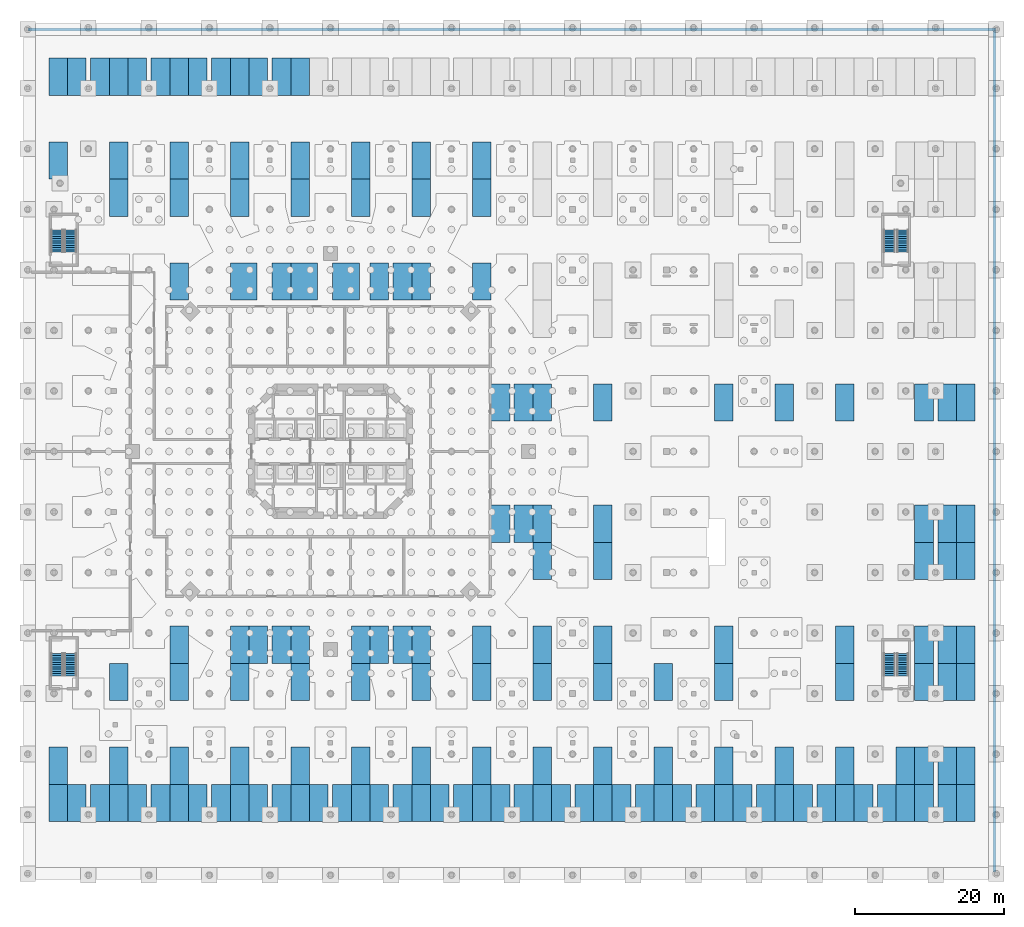
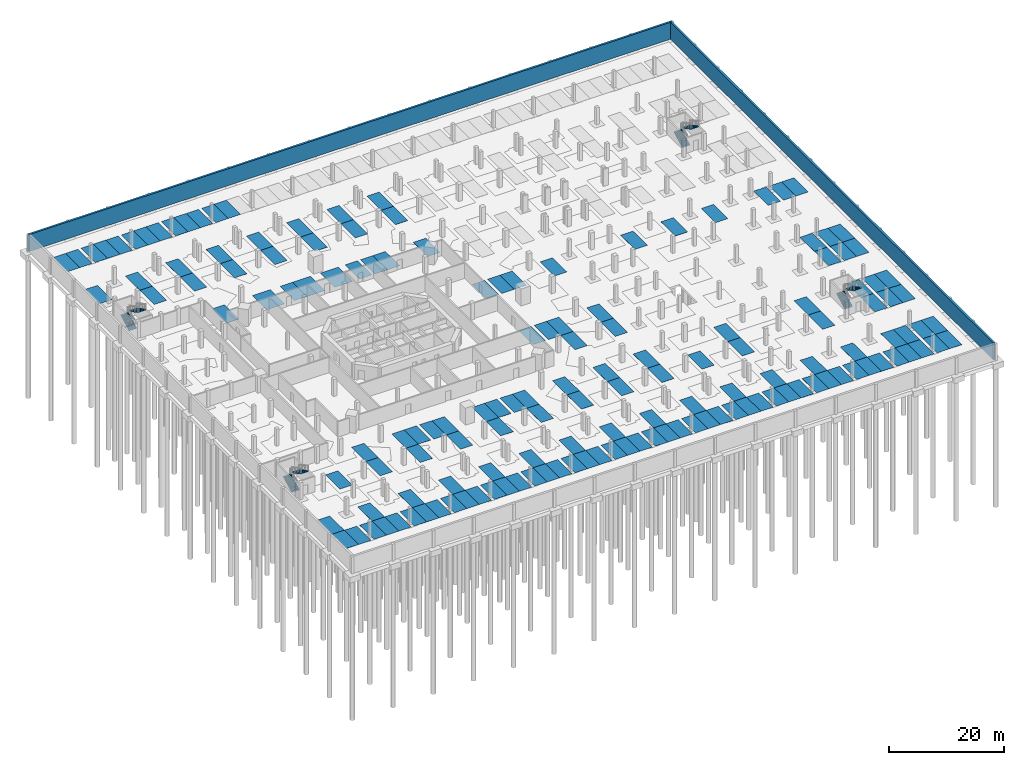
# One storey, part 20 of 23: 155 discrete accessories, 8 stair flights, 2 walls, 4 elements without a shape of their own.
"""IFC4 building model written with IfcOpenShell, lengths in metres."""

from ifc_helpers import new_model, si_unit, direction, frame, frame_2d, origin, origin_2d, place, context, subcontext, project, spatial, polyline, rectangle, outline, extrude, material, layer, layer_set, type_object, element, aggregate, save


model = new_model("IFC4")

# Units and contexts
model_context = context("Model", 3, precision=1e-05, world=origin(), true_north=direction((0.0, 1.0)))
body_context = subcontext(model_context, "Body", "Model", "MODEL_VIEW")
ifc_project = project(units=[si_unit("LENGTHUNIT", "METRE"), si_unit("AREAUNIT", "SQUARE_METRE"), si_unit("VOLUMEUNIT", "CUBIC_METRE"), si_unit("PLANEANGLEUNIT", "RADIAN"), si_unit("MASSUNIT", "GRAM", prefix="KILO")], contexts=[model_context])

# Site, building, storey
site_placement = place(None, origin())
site = spatial("IfcSite", under=ifc_project, at=site_placement, CompositionType="ELEMENT")
building_placement = place(site_placement, origin())
building = spatial("IfcBuilding", under=site, at=building_placement, Name="Torre Triforio", CompositionType="ELEMENT")
storey_placement = place(building_placement, frame((0.0, 0.0, -10.800048828125)))
storey = spatial("IfcBuildingStorey", under=building, at=storey_placement, Name="B3", CompositionType="ELEMENT", Elevation=-10.800048828125)

# Walls
ifc_material = material(Name="Concrete C40", Category="concrete")
ifc_layer = layer(ifc_material, 0.39990234375)
ifc_layer_set = layer_set([ifc_layer], Name="Concrete C40")
wall_type = type_object("IfcWallType", Name="Retaining wall 400 C40", PredefinedType="SOLIDWALL", material=ifc_layer_set)
wall_1_placement = place(storey_placement, frame((-40.5, 56.5, 0.0), z_axis=(0.0, 0.0, 1.0), x_axis=(1.0, 0.0, 0.0)))
element("IfcWall", 1, at=wall_1_placement, inside=storey, type_object=wall_type, Name="WL.RET.B3.N", PredefinedType="SOLIDWALL", context=body_context, shape_type="SweptSolid", body=[
    extrude(rectangle(XDim=129.60009765625, YDim=0.39990234375, at=frame_2d((64.800048828125, 0.0))), origin(), (0.0, 0.0, 1.0), 3.60009765625),
])
wall_2_placement = place(storey_placement, frame((88.89990234375, -56.300048828125, 0.0), z_axis=(0.0, 0.0, 1.0), x_axis=(0.0, 1.0, 0.0)))
element("IfcWall", 2, at=wall_2_placement, inside=storey, type_object=wall_type, Name="WL.RET.B3.E", PredefinedType="SOLIDWALL", context=body_context, shape_type="SweptSolid", body=[
    extrude(rectangle(XDim=112.60009765625, YDim=0.39990234375, at=frame_2d((56.300048828125, 0.0))), origin(), (0.0, 0.0, 1.0), 3.60009765625),
])

# Stair, stair flights
stair_type = type_object("IfcStairType", Name="Egress stair 1400 clear", PredefinedType="NOTDEFINED", material=ifc_material)
stair_1_placement = place(storey_placement, origin())
stair_1 = element("IfcStair", 3, at=stair_1_placement, inside=storey, type_object=stair_type, Name="Exit stair BS1 B3 to B2", PredefinedType="NOTDEFINED")
stair_flight_type = type_object("IfcStairFlightType", Name="Egress stair flight 1400", PredefinedType="STRAIGHT", material=ifc_material)
stair_flight_1_placement = place(storey_placement, frame((-36.60009765625, -30.02490234375, 0.0), z_axis=(0.0, 0.0, 1.0), x_axis=(0.0, 1.0, 0.0)))
stair_flight_1 = element("IfcStairFlight", 4, at=stair_flight_1_placement, type_object=stair_flight_type, Name="BS1 flight 1", NumberOfRisers=11, NumberOfTreads=10, PredefinedType="STRAIGHT", RiserHeight=0.163636364, TreadLength=0.3, context=body_context, shape_type="SweptSolid", body=[
    extrude(outline(polyline([(0.0, 0.0), (0.0, 0.16357421875), (0.300048828125, 0.16357421875), (0.300048828125, 0.327392578125), (0.60009765625, 0.327392578125), (0.60009765625, 0.490966796875), (0.89990234375, 0.490966796875), (0.89990234375, 0.654541015625), (1.199951171875, 0.654541015625), (1.199951171875, 0.818115234375), (1.5, 0.818115234375), (1.5, 0.98193359375), (1.800048828125, 0.98193359375), (1.800048828125, 1.1455078125), (2.10009765625, 1.1455078125), (2.10009765625, 1.30908203125), (2.39990234375, 1.30908203125), (2.39990234375, 1.47265625), (2.699951171875, 1.47265625), (2.699951171875, 1.636474609375), (3.0, 1.636474609375), (3.0, 1.800048828125), (3.0, 1.465576171875), (0.31298828125, 0.0), (0.0, 0.0)])), frame((0.0, 0.77490234375, 0.0), z_axis=(0.0, -1.0, 0.0), x_axis=(1.0, 0.0, 0.0)), (0.0, 0.0, 1.0), 1.550048828125),
])
stair_flight_2_placement = place(storey_placement, frame((-34.800048828125, -27.02490234375, 1.800048828125), z_axis=(0.0, 0.0, 1.0), x_axis=(0.0, -1.0, 0.0)))
stair_flight_2 = element("IfcStairFlight", 5, at=stair_flight_2_placement, type_object=stair_flight_type, Name="BS1 flight 2", NumberOfRisers=11, NumberOfTreads=10, PredefinedType="STRAIGHT", RiserHeight=0.163636364, TreadLength=0.3, context=body_context, shape_type="SweptSolid", body=[
    extrude(outline(polyline([(0.0, 0.0), (0.0, 0.16357421875), (0.300048828125, 0.16357421875), (0.300048828125, 0.327392578125), (0.60009765625, 0.327392578125), (0.60009765625, 0.490966796875), (0.89990234375, 0.490966796875), (0.89990234375, 0.654541015625), (1.199951171875, 0.654541015625), (1.199951171875, 0.818115234375), (1.5, 0.818115234375), (1.5, 0.98193359375), (1.800048828125, 0.98193359375), (1.800048828125, 1.1455078125), (2.10009765625, 1.1455078125), (2.10009765625, 1.30908203125), (2.39990234375, 1.30908203125), (2.39990234375, 1.47265625), (2.699951171875, 1.47265625), (2.699951171875, 1.636474609375), (3.0, 1.636474609375), (3.0, 1.800048828125), (3.0, 1.465576171875), (0.31298828125, 0.0), (0.0, 0.0)])), frame((0.0, 0.77490234375, 0.0), z_axis=(0.0, -1.0, 0.0), x_axis=(1.0, 0.0, 0.0)), (0.0, 0.0, 1.0), 1.550048828125),
])
aggregate(stair_1, [stair_flight_1, stair_flight_2])

stair_2_placement = place(storey_placement, origin())
stair_2 = element("IfcStair", 6, at=stair_2_placement, inside=storey, type_object=stair_type, Name="Exit stair BS2 B3 to B2", PredefinedType="NOTDEFINED")
stair_flight_3_placement = place(storey_placement, frame((-36.60009765625, 26.675048828125, 0.0), z_axis=(0.0, 0.0, 1.0), x_axis=(0.0, 1.0, 0.0)))
stair_flight_3 = element("IfcStairFlight", 7, at=stair_flight_3_placement, type_object=stair_flight_type, Name="BS2 flight 1", NumberOfRisers=11, NumberOfTreads=10, PredefinedType="STRAIGHT", RiserHeight=0.163636364, TreadLength=0.3, context=body_context, shape_type="SweptSolid", body=[
    extrude(outline(polyline([(0.0, 0.0), (0.0, 0.16357421875), (0.300048828125, 0.16357421875), (0.300048828125, 0.327392578125), (0.60009765625, 0.327392578125), (0.60009765625, 0.490966796875), (0.89990234375, 0.490966796875), (0.89990234375, 0.654541015625), (1.199951171875, 0.654541015625), (1.199951171875, 0.818115234375), (1.5, 0.818115234375), (1.5, 0.98193359375), (1.800048828125, 0.98193359375), (1.800048828125, 1.1455078125), (2.10009765625, 1.1455078125), (2.10009765625, 1.30908203125), (2.39990234375, 1.30908203125), (2.39990234375, 1.47265625), (2.699951171875, 1.47265625), (2.699951171875, 1.636474609375), (3.0, 1.636474609375), (3.0, 1.800048828125), (3.0, 1.465576171875), (0.31298828125, 0.0), (0.0, 0.0)])), frame((0.0, 0.77490234375, 0.0), z_axis=(0.0, -1.0, 0.0), x_axis=(1.0, 0.0, 0.0)), (0.0, 0.0, 1.0), 1.550048828125),
])
stair_flight_4_placement = place(storey_placement, frame((-34.800048828125, 29.675048828125, 1.800048828125), z_axis=(0.0, 0.0, 1.0), x_axis=(0.0, -1.0, 0.0)))
stair_flight_4 = element("IfcStairFlight", 8, at=stair_flight_4_placement, type_object=stair_flight_type, Name="BS2 flight 2", NumberOfRisers=11, NumberOfTreads=10, PredefinedType="STRAIGHT", RiserHeight=0.163636364, TreadLength=0.3, context=body_context, shape_type="SweptSolid", body=[
    extrude(outline(polyline([(0.0, 0.0), (0.0, 0.16357421875), (0.300048828125, 0.16357421875), (0.300048828125, 0.327392578125), (0.60009765625, 0.327392578125), (0.60009765625, 0.490966796875), (0.89990234375, 0.490966796875), (0.89990234375, 0.654541015625), (1.199951171875, 0.654541015625), (1.199951171875, 0.818115234375), (1.5, 0.818115234375), (1.5, 0.98193359375), (1.800048828125, 0.98193359375), (1.800048828125, 1.1455078125), (2.10009765625, 1.1455078125), (2.10009765625, 1.30908203125), (2.39990234375, 1.30908203125), (2.39990234375, 1.47265625), (2.699951171875, 1.47265625), (2.699951171875, 1.636474609375), (3.0, 1.636474609375), (3.0, 1.800048828125), (3.0, 1.465576171875), (0.31298828125, 0.0), (0.0, 0.0)])), frame((0.0, 0.77490234375, 0.0), z_axis=(0.0, -1.0, 0.0), x_axis=(1.0, 0.0, 0.0)), (0.0, 0.0, 1.0), 1.550048828125),
])
aggregate(stair_2, [stair_flight_3, stair_flight_4])

stair_3_placement = place(storey_placement, origin())
stair_3 = element("IfcStair", 9, at=stair_3_placement, inside=storey, type_object=stair_type, Name="Exit stair BS3 B3 to B2", PredefinedType="NOTDEFINED")
stair_flight_5_placement = place(storey_placement, frame((74.800048828125, -30.02490234375, 0.0), z_axis=(0.0, 0.0, 1.0), x_axis=(0.0, 1.0, 0.0)))
stair_flight_5 = element("IfcStairFlight", 10, at=stair_flight_5_placement, type_object=stair_flight_type, Name="BS3 flight 1", NumberOfRisers=11, NumberOfTreads=10, PredefinedType="STRAIGHT", RiserHeight=0.163636364, TreadLength=0.3, context=body_context, shape_type="SweptSolid", body=[
    extrude(outline(polyline([(0.0, 0.0), (0.0, 0.16357421875), (0.300048828125, 0.16357421875), (0.300048828125, 0.327392578125), (0.60009765625, 0.327392578125), (0.60009765625, 0.490966796875), (0.89990234375, 0.490966796875), (0.89990234375, 0.654541015625), (1.199951171875, 0.654541015625), (1.199951171875, 0.818115234375), (1.5, 0.818115234375), (1.5, 0.98193359375), (1.800048828125, 0.98193359375), (1.800048828125, 1.1455078125), (2.10009765625, 1.1455078125), (2.10009765625, 1.30908203125), (2.39990234375, 1.30908203125), (2.39990234375, 1.47265625), (2.699951171875, 1.47265625), (2.699951171875, 1.636474609375), (3.0, 1.636474609375), (3.0, 1.800048828125), (3.0, 1.465576171875), (0.31298828125, 0.0), (0.0, 0.0)])), frame((0.0, 0.77490234375, 0.0), z_axis=(0.0, -1.0, 0.0), x_axis=(1.0, 0.0, 0.0)), (0.0, 0.0, 1.0), 1.550048828125),
])
stair_flight_6_placement = place(storey_placement, frame((76.60009765625, -27.02490234375, 1.800048828125), z_axis=(0.0, 0.0, 1.0), x_axis=(0.0, -1.0, 0.0)))
stair_flight_6 = element("IfcStairFlight", 11, at=stair_flight_6_placement, type_object=stair_flight_type, Name="BS3 flight 2", NumberOfRisers=11, NumberOfTreads=10, PredefinedType="STRAIGHT", RiserHeight=0.163636364, TreadLength=0.3, context=body_context, shape_type="SweptSolid", body=[
    extrude(outline(polyline([(0.0, 0.0), (0.0, 0.16357421875), (0.300048828125, 0.16357421875), (0.300048828125, 0.327392578125), (0.60009765625, 0.327392578125), (0.60009765625, 0.490966796875), (0.89990234375, 0.490966796875), (0.89990234375, 0.654541015625), (1.199951171875, 0.654541015625), (1.199951171875, 0.818115234375), (1.5, 0.818115234375), (1.5, 0.98193359375), (1.800048828125, 0.98193359375), (1.800048828125, 1.1455078125), (2.10009765625, 1.1455078125), (2.10009765625, 1.30908203125), (2.39990234375, 1.30908203125), (2.39990234375, 1.47265625), (2.699951171875, 1.47265625), (2.699951171875, 1.636474609375), (3.0, 1.636474609375), (3.0, 1.800048828125), (3.0, 1.465576171875), (0.31298828125, 0.0), (0.0, 0.0)])), frame((0.0, 0.77490234375, 0.0), z_axis=(0.0, -1.0, 0.0), x_axis=(1.0, 0.0, 0.0)), (0.0, 0.0, 1.0), 1.550048828125),
])
aggregate(stair_3, [stair_flight_5, stair_flight_6])

stair_4_placement = place(storey_placement, origin())
stair_4 = element("IfcStair", 12, at=stair_4_placement, inside=storey, type_object=stair_type, Name="Exit stair BS4 B3 to B2", PredefinedType="NOTDEFINED")
stair_flight_7_placement = place(storey_placement, frame((74.800048828125, 26.675048828125, 0.0), z_axis=(0.0, 0.0, 1.0), x_axis=(0.0, 1.0, 0.0)))
stair_flight_7 = element("IfcStairFlight", 13, at=stair_flight_7_placement, type_object=stair_flight_type, Name="BS4 flight 1", NumberOfRisers=11, NumberOfTreads=10, PredefinedType="STRAIGHT", RiserHeight=0.163636364, TreadLength=0.3, context=body_context, shape_type="SweptSolid", body=[
    extrude(outline(polyline([(0.0, 0.0), (0.0, 0.16357421875), (0.300048828125, 0.16357421875), (0.300048828125, 0.327392578125), (0.60009765625, 0.327392578125), (0.60009765625, 0.490966796875), (0.89990234375, 0.490966796875), (0.89990234375, 0.654541015625), (1.199951171875, 0.654541015625), (1.199951171875, 0.818115234375), (1.5, 0.818115234375), (1.5, 0.98193359375), (1.800048828125, 0.98193359375), (1.800048828125, 1.1455078125), (2.10009765625, 1.1455078125), (2.10009765625, 1.30908203125), (2.39990234375, 1.30908203125), (2.39990234375, 1.47265625), (2.699951171875, 1.47265625), (2.699951171875, 1.636474609375), (3.0, 1.636474609375), (3.0, 1.800048828125), (3.0, 1.465576171875), (0.31298828125, 0.0), (0.0, 0.0)])), frame((0.0, 0.77490234375, 0.0), z_axis=(0.0, -1.0, 0.0), x_axis=(1.0, 0.0, 0.0)), (0.0, 0.0, 1.0), 1.550048828125),
])
stair_flight_8_placement = place(storey_placement, frame((76.60009765625, 29.675048828125, 1.800048828125), z_axis=(0.0, 0.0, 1.0), x_axis=(0.0, -1.0, 0.0)))
stair_flight_8 = element("IfcStairFlight", 14, at=stair_flight_8_placement, type_object=stair_flight_type, Name="BS4 flight 2", NumberOfRisers=11, NumberOfTreads=10, PredefinedType="STRAIGHT", RiserHeight=0.163636364, TreadLength=0.3, context=body_context, shape_type="SweptSolid", body=[
    extrude(outline(polyline([(0.0, 0.0), (0.0, 0.16357421875), (0.300048828125, 0.16357421875), (0.300048828125, 0.327392578125), (0.60009765625, 0.327392578125), (0.60009765625, 0.490966796875), (0.89990234375, 0.490966796875), (0.89990234375, 0.654541015625), (1.199951171875, 0.654541015625), (1.199951171875, 0.818115234375), (1.5, 0.818115234375), (1.5, 0.98193359375), (1.800048828125, 0.98193359375), (1.800048828125, 1.1455078125), (2.10009765625, 1.1455078125), (2.10009765625, 1.30908203125), (2.39990234375, 1.30908203125), (2.39990234375, 1.47265625), (2.699951171875, 1.47265625), (2.699951171875, 1.636474609375), (3.0, 1.636474609375), (3.0, 1.800048828125), (3.0, 1.465576171875), (0.31298828125, 0.0), (0.0, 0.0)])), frame((0.0, 0.77490234375, 0.0), z_axis=(0.0, -1.0, 0.0), x_axis=(1.0, 0.0, 0.0)), (0.0, 0.0, 1.0), 1.550048828125),
])
aggregate(stair_4, [stair_flight_7, stair_flight_8])

# Discrete accessories
for number, where, z_axis, x_axis, name in (
    (15, (-36.449951171875, -47.050048828125, 0.0), (0.0, 0.0, 1.0), (1.0, 0.0, 0.0), "Parking bay marking B3-A-01"),
    (16, (-33.949951171875, -47.050048828125, 0.0), (0.0, 0.0, 1.0), (1.0, 0.0, 0.0), "Parking bay marking B3-A-02"),
    (17, (-30.85009765625, -47.050048828125, 0.0), (0.0, 0.0, 1.0), (1.0, 0.0, 0.0), "Parking bay marking B3-A-03"),
    (18, (-28.35009765625, -47.050048828125, 0.0), (0.0, 0.0, 1.0), (1.0, 0.0, 0.0), "Parking bay marking B3-A-04"),
    (19, (-25.85009765625, -47.050048828125, 0.0), (0.0, 0.0, 1.0), (1.0, 0.0, 0.0), "Parking bay marking B3-A-05"),
    (20, (-22.75, -47.050048828125, 0.0), (0.0, 0.0, 1.0), (1.0, 0.0, 0.0), "Parking bay marking B3-A-06"),
    (21, (-20.25, -47.050048828125, 0.0), (0.0, 0.0, 1.0), (1.0, 0.0, 0.0), "Parking bay marking B3-A-07"),
    (22, (-17.75, -47.050048828125, 0.0), (0.0, 0.0, 1.0), (1.0, 0.0, 0.0), "Parking bay marking B3-A-08"),
    (23, (-14.64990234375, -47.050048828125, 0.0), (0.0, 0.0, 1.0), (1.0, 0.0, 0.0), "Parking bay marking B3-A-09"),
    (24, (-12.14990234375, -47.050048828125, 0.0), (0.0, 0.0, 1.0), (1.0, 0.0, 0.0), "Parking bay marking B3-A-10"),
    (25, (-9.64990234375, -47.050048828125, 0.0), (0.0, 0.0, 1.0), (1.0, 0.0, 0.0), "Parking bay marking B3-A-11"),
    (26, (-36.449951171875, -42.050048828125, 0.0), (0.0, 0.0, 1.0), (1.0, 0.0, 0.0), "Parking bay marking B3-A-12"),
    (27, (-28.35009765625, -42.050048828125, 0.0), (0.0, 0.0, 1.0), (1.0, 0.0, 0.0), "Parking bay marking B3-A-13"),
    (28, (-20.25, -42.050048828125, 0.0), (0.0, 0.0, 1.0), (1.0, 0.0, 0.0), "Parking bay marking B3-A-14"),
    (29, (-12.14990234375, -42.050048828125, 0.0), (0.0, 0.0, 1.0), (1.0, 0.0, 0.0), "Parking bay marking B3-A-15"),
    (30, (-28.35009765625, -30.85009765625, 0.0), (0.0, 0.0, 1.0), (1.0, 0.0, 0.0), "Parking bay marking B3-A-16"),
    (31, (-20.25, -30.85009765625, 0.0), (0.0, 0.0, 1.0), (1.0, 0.0, 0.0), "Parking bay marking B3-A-17"),
    (32, (-12.14990234375, -30.85009765625, 0.0), (0.0, 0.0, 1.0), (1.0, 0.0, 0.0), "Parking bay marking B3-A-18"),
    (33, (-20.25, -25.85009765625, 0.0), (0.0, 0.0, 1.0), (1.0, 0.0, 0.0), "Parking bay marking B3-A-19"),
    (34, (-12.14990234375, -25.85009765625, 0.0), (0.0, 0.0, 1.0), (1.0, 0.0, 0.0), "Parking bay marking B3-A-20"),
    (35, (-9.64990234375, -25.85009765625, 0.0), (0.0, 0.0, 1.0), (1.0, 0.0, 0.0), "Parking bay marking B3-A-21"),
    (36, (-6.550048828125, -47.050048828125, 0.0), (0.0, 0.0, 1.0), (1.0, 0.0, 0.0), "Parking bay marking B3-B-01"),
    (37, (-4.050048828125, -47.050048828125, 0.0), (0.0, 0.0, 1.0), (1.0, 0.0, 0.0), "Parking bay marking B3-B-02"),
    (38, (-1.550048828125, -47.050048828125, 0.0), (0.0, 0.0, 1.0), (1.0, 0.0, 0.0), "Parking bay marking B3-B-03"),
    (39, (1.550048828125, -47.050048828125, 0.0), (0.0, 0.0, 1.0), (1.0, 0.0, 0.0), "Parking bay marking B3-B-04"),
    (40, (4.050048828125, -47.050048828125, 0.0), (0.0, 0.0, 1.0), (1.0, 0.0, 0.0), "Parking bay marking B3-B-05"),
    (41, (6.550048828125, -47.050048828125, 0.0), (0.0, 0.0, 1.0), (1.0, 0.0, 0.0), "Parking bay marking B3-B-06"),
    (42, (9.64990234375, -47.050048828125, 0.0), (0.0, 0.0, 1.0), (1.0, 0.0, 0.0), "Parking bay marking B3-B-07"),
    (43, (12.14990234375, -47.050048828125, 0.0), (0.0, 0.0, 1.0), (1.0, 0.0, 0.0), "Parking bay marking B3-B-08"),
    (44, (14.64990234375, -47.050048828125, 0.0), (0.0, 0.0, 1.0), (1.0, 0.0, 0.0), "Parking bay marking B3-B-09"),
    (45, (17.75, -47.050048828125, 0.0), (0.0, 0.0, 1.0), (1.0, 0.0, 0.0), "Parking bay marking B3-B-10"),
    (46, (20.25, -47.050048828125, 0.0), (0.0, 0.0, 1.0), (1.0, 0.0, 0.0), "Parking bay marking B3-B-11"),
    (47, (22.75, -47.050048828125, 0.0), (0.0, 0.0, 1.0), (1.0, 0.0, 0.0), "Parking bay marking B3-B-12"),
    (48, (-4.050048828125, -42.050048828125, 0.0), (0.0, 0.0, 1.0), (1.0, 0.0, 0.0), "Parking bay marking B3-B-13"),
    (49, (4.050048828125, -42.050048828125, 0.0), (0.0, 0.0, 1.0), (1.0, 0.0, 0.0), "Parking bay marking B3-B-14"),
    (50, (12.14990234375, -42.050048828125, 0.0), (0.0, 0.0, 1.0), (1.0, 0.0, 0.0), "Parking bay marking B3-B-15"),
    (51, (20.25, -42.050048828125, 0.0), (0.0, 0.0, 1.0), (1.0, 0.0, 0.0), "Parking bay marking B3-B-16"),
    (52, (-4.050048828125, -30.85009765625, 0.0), (0.0, 0.0, 1.0), (1.0, 0.0, 0.0), "Parking bay marking B3-B-17"),
    (53, (4.050048828125, -30.85009765625, 0.0), (0.0, 0.0, 1.0), (1.0, 0.0, 0.0), "Parking bay marking B3-B-18"),
    (54, (12.14990234375, -30.85009765625, 0.0), (0.0, 0.0, 1.0), (1.0, 0.0, 0.0), "Parking bay marking B3-B-19"),
    (55, (20.25, -30.85009765625, 0.0), (0.0, 0.0, 1.0), (1.0, 0.0, 0.0), "Parking bay marking B3-B-20"),
    (56, (-6.550048828125, -25.85009765625, 0.0), (0.0, 0.0, 1.0), (1.0, 0.0, 0.0), "Parking bay marking B3-B-21"),
    (57, (-4.050048828125, -25.85009765625, 0.0), (0.0, 0.0, 1.0), (1.0, 0.0, 0.0), "Parking bay marking B3-B-22"),
    (58, (4.050048828125, -25.85009765625, 0.0), (0.0, 0.0, 1.0), (1.0, 0.0, 0.0), "Parking bay marking B3-B-23"),
    (59, (6.550048828125, -25.85009765625, 0.0), (0.0, 0.0, 1.0), (1.0, 0.0, 0.0), "Parking bay marking B3-B-24"),
    (60, (9.64990234375, -25.85009765625, 0.0), (0.0, 0.0, 1.0), (1.0, 0.0, 0.0), "Parking bay marking B3-B-25"),
    (61, (12.14990234375, -25.85009765625, 0.0), (0.0, 0.0, 1.0), (1.0, 0.0, 0.0), "Parking bay marking B3-B-26"),
    (62, (20.25, -25.85009765625, 0.0), (0.0, 0.0, 1.0), (1.0, 0.0, 0.0), "Parking bay marking B3-B-27"),
    (63, (22.75, -9.64990234375, 0.0), (0.0, 0.0, 1.0), (1.0, 0.0, 0.0), "Parking bay marking B3-B-28"),
    (64, (25.85009765625, -47.050048828125, 0.0), (0.0, 0.0, 1.0), (1.0, 0.0, 0.0), "Parking bay marking B3-C-01"),
    (65, (28.35009765625, -47.050048828125, 0.0), (0.0, 0.0, 1.0), (1.0, 0.0, 0.0), "Parking bay marking B3-C-02"),
    (66, (30.85009765625, -47.050048828125, 0.0), (0.0, 0.0, 1.0), (1.0, 0.0, 0.0), "Parking bay marking B3-C-03"),
    (67, (33.949951171875, -47.050048828125, 0.0), (0.0, 0.0, 1.0), (1.0, 0.0, 0.0), "Parking bay marking B3-C-04"),
    (68, (36.449951171875, -47.050048828125, 0.0), (0.0, 0.0, 1.0), (1.0, 0.0, 0.0), "Parking bay marking B3-C-05"),
    (69, (38.949951171875, -47.050048828125, 0.0), (0.0, 0.0, 1.0), (1.0, 0.0, 0.0), "Parking bay marking B3-C-06"),
    (70, (42.050048828125, -47.050048828125, 0.0), (0.0, 0.0, 1.0), (1.0, 0.0, 0.0), "Parking bay marking B3-C-07"),
    (71, (44.550048828125, -47.050048828125, 0.0), (0.0, 0.0, 1.0), (1.0, 0.0, 0.0), "Parking bay marking B3-C-08"),
    (72, (47.050048828125, -47.050048828125, 0.0), (0.0, 0.0, 1.0), (1.0, 0.0, 0.0), "Parking bay marking B3-C-09"),
    (73, (50.14990234375, -47.050048828125, 0.0), (0.0, 0.0, 1.0), (1.0, 0.0, 0.0), "Parking bay marking B3-C-10"),
    (74, (52.64990234375, -47.050048828125, 0.0), (0.0, 0.0, 1.0), (1.0, 0.0, 0.0), "Parking bay marking B3-C-11"),
    (75, (55.14990234375, -47.050048828125, 0.0), (0.0, 0.0, 1.0), (1.0, 0.0, 0.0), "Parking bay marking B3-C-12"),
    (76, (28.35009765625, -42.050048828125, 0.0), (0.0, 0.0, 1.0), (1.0, 0.0, 0.0), "Parking bay marking B3-C-13"),
    (77, (36.449951171875, -42.050048828125, 0.0), (0.0, 0.0, 1.0), (1.0, 0.0, 0.0), "Parking bay marking B3-C-14"),
    (78, (44.550048828125, -42.050048828125, 0.0), (0.0, 0.0, 1.0), (1.0, 0.0, 0.0), "Parking bay marking B3-C-15"),
    (79, (52.64990234375, -42.050048828125, 0.0), (0.0, 0.0, 1.0), (1.0, 0.0, 0.0), "Parking bay marking B3-C-16"),
    (80, (28.35009765625, -30.85009765625, 0.0), (0.0, 0.0, 1.0), (1.0, 0.0, 0.0), "Parking bay marking B3-C-17"),
    (81, (36.449951171875, -30.85009765625, 0.0), (0.0, 0.0, 1.0), (1.0, 0.0, 0.0), "Parking bay marking B3-C-18"),
    (82, (44.550048828125, -30.85009765625, 0.0), (0.0, 0.0, 1.0), (1.0, 0.0, 0.0), "Parking bay marking B3-C-19"),
    (83, (52.64990234375, -30.85009765625, 0.0), (0.0, 0.0, 1.0), (1.0, 0.0, 0.0), "Parking bay marking B3-C-20"),
    (84, (28.35009765625, -25.85009765625, 0.0), (0.0, 0.0, 1.0), (1.0, 0.0, 0.0), "Parking bay marking B3-C-21"),
    (85, (36.449951171875, -25.85009765625, 0.0), (0.0, 0.0, 1.0), (1.0, 0.0, 0.0), "Parking bay marking B3-C-22"),
    (86, (52.64990234375, -25.85009765625, 0.0), (0.0, 0.0, 1.0), (1.0, 0.0, 0.0), "Parking bay marking B3-C-23"),
    (87, (28.35009765625, -14.64990234375, 0.0), (0.0, 0.0, 1.0), (1.0, 0.0, 0.0), "Parking bay marking B3-C-24"),
    (88, (36.449951171875, -14.64990234375, 0.0), (0.0, 0.0, 1.0), (1.0, 0.0, 0.0), "Parking bay marking B3-C-25"),
    (89, (25.85009765625, -9.64990234375, 0.0), (0.0, 0.0, 1.0), (1.0, 0.0, 0.0), "Parking bay marking B3-C-26"),
    (90, (28.35009765625, -9.64990234375, 0.0), (0.0, 0.0, 1.0), (1.0, 0.0, 0.0), "Parking bay marking B3-C-27"),
    (91, (36.449951171875, -9.64990234375, 0.0), (0.0, 0.0, 1.0), (1.0, 0.0, 0.0), "Parking bay marking B3-C-28"),
    (92, (58.25, -47.050048828125, 0.0), (0.0, 0.0, 1.0), (1.0, 0.0, 0.0), "Parking bay marking B3-D-01"),
    (93, (60.75, -47.050048828125, 0.0), (0.0, 0.0, 1.0), (1.0, 0.0, 0.0), "Parking bay marking B3-D-02"),
    (94, (63.25, -47.050048828125, 0.0), (0.0, 0.0, 1.0), (1.0, 0.0, 0.0), "Parking bay marking B3-D-03"),
    (95, (66.35009765625, -47.050048828125, 0.0), (0.0, 0.0, 1.0), (1.0, 0.0, 0.0), "Parking bay marking B3-D-04"),
    (96, (68.85009765625, -47.050048828125, 0.0), (0.0, 0.0, 1.0), (1.0, 0.0, 0.0), "Parking bay marking B3-D-05"),
    (97, (71.35009765625, -47.050048828125, 0.0), (0.0, 0.0, 1.0), (1.0, 0.0, 0.0), "Parking bay marking B3-D-06"),
    (98, (74.449951171875, -47.050048828125, 0.0), (0.0, 0.0, 1.0), (1.0, 0.0, 0.0), "Parking bay marking B3-D-07"),
    (99, (76.949951171875, -47.050048828125, 0.0), (0.0, 0.0, 1.0), (1.0, 0.0, 0.0), "Parking bay marking B3-D-08"),
    (100, (79.449951171875, -47.050048828125, 0.0), (0.0, 0.0, 1.0), (1.0, 0.0, 0.0), "Parking bay marking B3-D-09"),
    (101, (82.550048828125, -47.050048828125, 0.0), (0.0, 0.0, 1.0), (1.0, 0.0, 0.0), "Parking bay marking B3-D-10"),
    (102, (85.050048828125, -47.050048828125, 0.0), (0.0, 0.0, 1.0), (1.0, 0.0, 0.0), "Parking bay marking B3-D-11"),
    (103, (60.75, -42.050048828125, 0.0), (0.0, 0.0, 1.0), (1.0, 0.0, 0.0), "Parking bay marking B3-D-12"),
    (104, (68.85009765625, -42.050048828125, 0.0), (0.0, 0.0, 1.0), (1.0, 0.0, 0.0), "Parking bay marking B3-D-13"),
    (105, (76.949951171875, -42.050048828125, 0.0), (0.0, 0.0, 1.0), (1.0, 0.0, 0.0), "Parking bay marking B3-D-14"),
    (106, (79.449951171875, -42.050048828125, 0.0), (0.0, 0.0, 1.0), (1.0, 0.0, 0.0), "Parking bay marking B3-D-15"),
    (107, (82.550048828125, -42.050048828125, 0.0), (0.0, 0.0, 1.0), (1.0, 0.0, 0.0), "Parking bay marking B3-D-16"),
    (108, (85.050048828125, -42.050048828125, 0.0), (0.0, 0.0, 1.0), (1.0, 0.0, 0.0), "Parking bay marking B3-D-17"),
    (109, (68.85009765625, -30.85009765625, 0.0), (0.0, 0.0, 1.0), (1.0, 0.0, 0.0), "Parking bay marking B3-D-18"),
    (110, (79.449951171875, -30.85009765625, 0.0), (0.0, 0.0, 1.0), (1.0, 0.0, 0.0), "Parking bay marking B3-D-19"),
    (111, (82.550048828125, -30.85009765625, 0.0), (0.0, 0.0, 1.0), (1.0, 0.0, 0.0), "Parking bay marking B3-D-20"),
    (112, (85.050048828125, -30.85009765625, 0.0), (0.0, 0.0, 1.0), (1.0, 0.0, 0.0), "Parking bay marking B3-D-21"),
    (113, (68.85009765625, -25.85009765625, 0.0), (0.0, 0.0, 1.0), (1.0, 0.0, 0.0), "Parking bay marking B3-D-22"),
    (114, (79.449951171875, -25.85009765625, 0.0), (0.0, 0.0, 1.0), (1.0, 0.0, 0.0), "Parking bay marking B3-D-23"),
    (115, (82.550048828125, -25.85009765625, 0.0), (0.0, 0.0, 1.0), (1.0, 0.0, 0.0), "Parking bay marking B3-D-24"),
    (116, (85.050048828125, -25.85009765625, 0.0), (0.0, 0.0, 1.0), (1.0, 0.0, 0.0), "Parking bay marking B3-D-25"),
    (117, (79.449951171875, -14.64990234375, 0.0), (0.0, 0.0, 1.0), (1.0, 0.0, 0.0), "Parking bay marking B3-D-26"),
    (118, (82.550048828125, -14.64990234375, 0.0), (0.0, 0.0, 1.0), (1.0, 0.0, 0.0), "Parking bay marking B3-D-27"),
    (119, (85.050048828125, -14.64990234375, 0.0), (0.0, 0.0, 1.0), (1.0, 0.0, 0.0), "Parking bay marking B3-D-28"),
    (120, (79.449951171875, -9.64990234375, 0.0), (0.0, 0.0, 1.0), (1.0, 0.0, 0.0), "Parking bay marking B3-D-29"),
    (121, (82.550048828125, -9.64990234375, 0.0), (0.0, 0.0, 1.0), (1.0, 0.0, 0.0), "Parking bay marking B3-D-30"),
    (122, (85.050048828125, -9.64990234375, 0.0), (0.0, 0.0, 1.0), (1.0, 0.0, 0.0), "Parking bay marking B3-D-31"),
    (123, (-20.25, 22.75, 0.0), (0.0, 0.0, 1.0), (1.0, 0.0, 0.0), "Parking bay marking B3-E-01"),
):
    element("IfcDiscreteAccessory", number, at=place(storey_placement, frame(where, z_axis=z_axis, x_axis=x_axis)), inside=storey, Name=name, PredefinedType="NOTDEFINED", context=body_context, shape_type="SweptSolid", body=[
        extrude(rectangle(XDim=2.5, YDim=5.0, at=origin_2d()), origin(), (0.0, 0.0, 1.0), 0.0048828125),
    ])
discrete_accessory_placement = place(storey_placement, frame((-11.60009765625, 22.75, 0.0), z_axis=(0.0, 0.0, 1.0), x_axis=(1.0, 0.0, 0.0)))
element("IfcDiscreteAccessory", 124, at=discrete_accessory_placement, inside=storey, Name="Accessible parking bay marking B3-E-02", PredefinedType="NOTDEFINED", context=body_context, shape_type="SweptSolid", body=[
    extrude(rectangle(XDim=3.60009765625, YDim=5.0, at=origin_2d()), origin(), (0.0, 0.0, 1.0), 0.0048828125),
])
for number, where, z_axis, x_axis, name in (
    (125, (-28.35009765625, 33.949951171875, 0.0), (0.0, 0.0, 1.0), (1.0, 0.0, 0.0), "Parking bay marking B3-E-03"),
    (126, (-20.25, 33.949951171875, 0.0), (0.0, 0.0, 1.0), (1.0, 0.0, 0.0), "Parking bay marking B3-E-04"),
    (127, (-12.14990234375, 33.949951171875, 0.0), (0.0, 0.0, 1.0), (1.0, 0.0, 0.0), "Parking bay marking B3-E-05"),
    (128, (-36.449951171875, 38.949951171875, 0.0), (0.0, 0.0, 1.0), (1.0, 0.0, 0.0), "Parking bay marking B3-E-06"),
    (129, (-28.35009765625, 38.949951171875, 0.0), (0.0, 0.0, 1.0), (1.0, 0.0, 0.0), "Parking bay marking B3-E-07"),
    (130, (-20.25, 38.949951171875, 0.0), (0.0, 0.0, 1.0), (1.0, 0.0, 0.0), "Parking bay marking B3-E-08"),
    (131, (-12.14990234375, 38.949951171875, 0.0), (0.0, 0.0, 1.0), (1.0, 0.0, 0.0), "Parking bay marking B3-E-09"),
    (132, (-36.449951171875, 50.14990234375, 0.0), (0.0, 0.0, 1.0), (1.0, 0.0, 0.0), "Parking bay marking B3-E-10"),
    (133, (-33.949951171875, 50.14990234375, 0.0), (0.0, 0.0, 1.0), (1.0, 0.0, 0.0), "Parking bay marking B3-E-11"),
    (134, (-30.85009765625, 50.14990234375, 0.0), (0.0, 0.0, 1.0), (1.0, 0.0, 0.0), "Parking bay marking B3-E-12"),
    (135, (-28.35009765625, 50.14990234375, 0.0), (0.0, 0.0, 1.0), (1.0, 0.0, 0.0), "Parking bay marking B3-E-13"),
    (136, (-25.85009765625, 50.14990234375, 0.0), (0.0, 0.0, 1.0), (1.0, 0.0, 0.0), "Parking bay marking B3-E-14"),
    (137, (-22.75, 50.14990234375, 0.0), (0.0, 0.0, 1.0), (1.0, 0.0, 0.0), "Parking bay marking B3-E-15"),
    (138, (-20.25, 50.14990234375, 0.0), (0.0, 0.0, 1.0), (1.0, 0.0, 0.0), "Parking bay marking B3-E-16"),
    (139, (-17.75, 50.14990234375, 0.0), (0.0, 0.0, 1.0), (1.0, 0.0, 0.0), "Parking bay marking B3-E-17"),
    (140, (-14.64990234375, 50.14990234375, 0.0), (0.0, 0.0, 1.0), (1.0, 0.0, 0.0), "Parking bay marking B3-E-18"),
    (141, (-12.14990234375, 50.14990234375, 0.0), (0.0, 0.0, 1.0), (1.0, 0.0, 0.0), "Parking bay marking B3-E-19"),
    (142, (-9.64990234375, 50.14990234375, 0.0), (0.0, 0.0, 1.0), (1.0, 0.0, 0.0), "Parking bay marking B3-E-20"),
    (143, (22.75, 6.550048828125, 0.0), (0.0, 0.0, 1.0), (1.0, 0.0, 0.0), "Parking bay marking B3-F-01"),
    (144, (-6.550048828125, 22.75, 0.0), (0.0, 0.0, 1.0), (1.0, 0.0, 0.0), "Parking bay marking B3-F-02"),
):
    element("IfcDiscreteAccessory", number, at=place(storey_placement, frame(where, z_axis=z_axis, x_axis=x_axis)), inside=storey, Name=name, PredefinedType="NOTDEFINED", context=body_context, shape_type="SweptSolid", body=[
        extrude(rectangle(XDim=2.5, YDim=5.0, at=origin_2d()), origin(), (0.0, 0.0, 1.0), 0.0048828125),
    ])
for number, where, z_axis, x_axis, name in (
    (145, (-3.5, 22.75, 0.0), (0.0, 0.0, 1.0), (1.0, 0.0, 0.0), "Accessible parking bay marking B3-F-03"),
    (146, (2.10009765625, 22.75, 0.0), (0.0, 0.0, 1.0), (1.0, 0.0, 0.0), "Accessible parking bay marking B3-F-04"),
):
    element("IfcDiscreteAccessory", number, at=place(storey_placement, frame(where, z_axis=z_axis, x_axis=x_axis)), inside=storey, Name=name, PredefinedType="NOTDEFINED", context=body_context, shape_type="SweptSolid", body=[
        extrude(rectangle(XDim=3.60009765625, YDim=5.0, at=origin_2d()), origin(), (0.0, 0.0, 1.0), 0.0048828125),
    ])
for number, where, z_axis, x_axis, name in (
    (147, (6.550048828125, 22.75, 0.0), (0.0, 0.0, 1.0), (1.0, 0.0, 0.0), "Parking bay marking B3-F-05"),
    (148, (9.64990234375, 22.75, 0.0), (0.0, 0.0, 1.0), (1.0, 0.0, 0.0), "Parking bay marking B3-F-06"),
    (149, (12.14990234375, 22.75, 0.0), (0.0, 0.0, 1.0), (1.0, 0.0, 0.0), "Parking bay marking B3-F-07"),
    (150, (20.25, 22.75, 0.0), (0.0, 0.0, 1.0), (1.0, 0.0, 0.0), "Parking bay marking B3-F-08"),
    (151, (-4.050048828125, 33.949951171875, 0.0), (0.0, 0.0, 1.0), (1.0, 0.0, 0.0), "Parking bay marking B3-F-09"),
    (152, (4.050048828125, 33.949951171875, 0.0), (0.0, 0.0, 1.0), (1.0, 0.0, 0.0), "Parking bay marking B3-F-10"),
    (153, (12.14990234375, 33.949951171875, 0.0), (0.0, 0.0, 1.0), (1.0, 0.0, 0.0), "Parking bay marking B3-F-11"),
    (154, (20.25, 33.949951171875, 0.0), (0.0, 0.0, 1.0), (1.0, 0.0, 0.0), "Parking bay marking B3-F-12"),
    (155, (-4.050048828125, 38.949951171875, 0.0), (0.0, 0.0, 1.0), (1.0, 0.0, 0.0), "Parking bay marking B3-F-13"),
    (156, (4.050048828125, 38.949951171875, 0.0), (0.0, 0.0, 1.0), (1.0, 0.0, 0.0), "Parking bay marking B3-F-14"),
    (157, (12.14990234375, 38.949951171875, 0.0), (0.0, 0.0, 1.0), (1.0, 0.0, 0.0), "Parking bay marking B3-F-15"),
    (158, (20.25, 38.949951171875, 0.0), (0.0, 0.0, 1.0), (1.0, 0.0, 0.0), "Parking bay marking B3-F-16"),
    (159, (-6.550048828125, 50.14990234375, 0.0), (0.0, 0.0, 1.0), (1.0, 0.0, 0.0), "Parking bay marking B3-F-17"),
    (160, (-4.050048828125, 50.14990234375, 0.0), (0.0, 0.0, 1.0), (1.0, 0.0, 0.0), "Parking bay marking B3-F-18"),
    (161, (25.85009765625, 6.550048828125, 0.0), (0.0, 0.0, 1.0), (1.0, 0.0, 0.0), "Parking bay marking B3-G-01"),
    (162, (28.35009765625, 6.550048828125, 0.0), (0.0, 0.0, 1.0), (1.0, 0.0, 0.0), "Parking bay marking B3-G-02"),
    (163, (36.449951171875, 6.550048828125, 0.0), (0.0, 0.0, 1.0), (1.0, 0.0, 0.0), "Parking bay marking B3-G-03"),
    (164, (52.64990234375, 6.550048828125, 0.0), (0.0, 0.0, 1.0), (1.0, 0.0, 0.0), "Parking bay marking B3-G-04"),
    (165, (60.75, 6.550048828125, 0.0), (0.0, 0.0, 1.0), (1.0, 0.0, 0.0), "Parking bay marking B3-H-01"),
    (166, (68.85009765625, 6.550048828125, 0.0), (0.0, 0.0, 1.0), (1.0, 0.0, 0.0), "Parking bay marking B3-H-02"),
    (167, (79.449951171875, 6.550048828125, 0.0), (0.0, 0.0, 1.0), (1.0, 0.0, 0.0), "Parking bay marking B3-H-03"),
    (168, (82.550048828125, 6.550048828125, 0.0), (0.0, 0.0, 1.0), (1.0, 0.0, 0.0), "Parking bay marking B3-H-04"),
    (169, (85.050048828125, 6.550048828125, 0.0), (0.0, 0.0, 1.0), (1.0, 0.0, 0.0), "Parking bay marking B3-H-05"),
):
    element("IfcDiscreteAccessory", number, at=place(storey_placement, frame(where, z_axis=z_axis, x_axis=x_axis)), inside=storey, Name=name, PredefinedType="NOTDEFINED", context=body_context, shape_type="SweptSolid", body=[
        extrude(rectangle(XDim=2.5, YDim=5.0, at=origin_2d()), origin(), (0.0, 0.0, 1.0), 0.0048828125),
    ])

save(model, "model.ifc")
